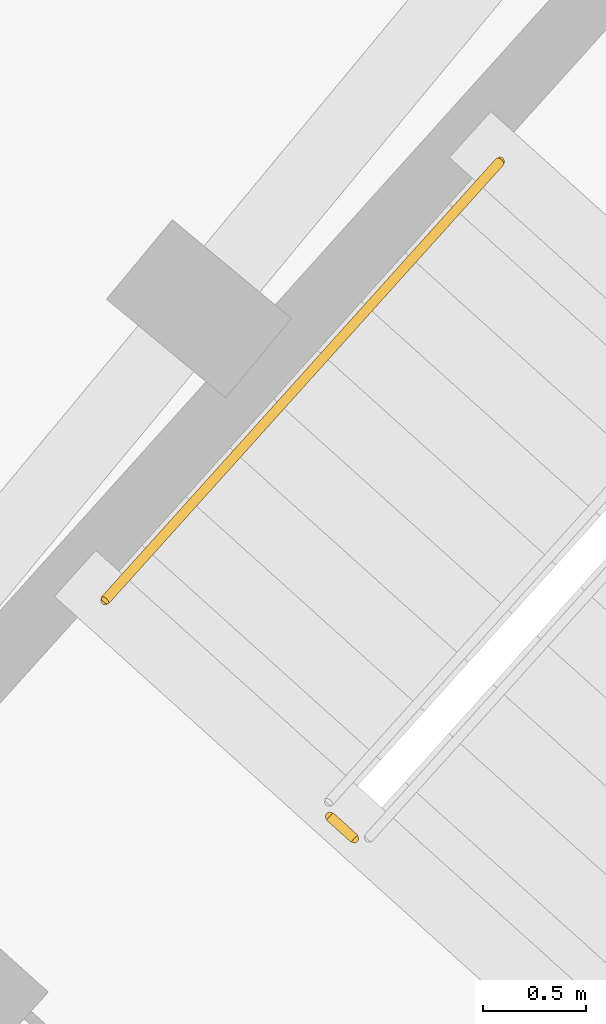
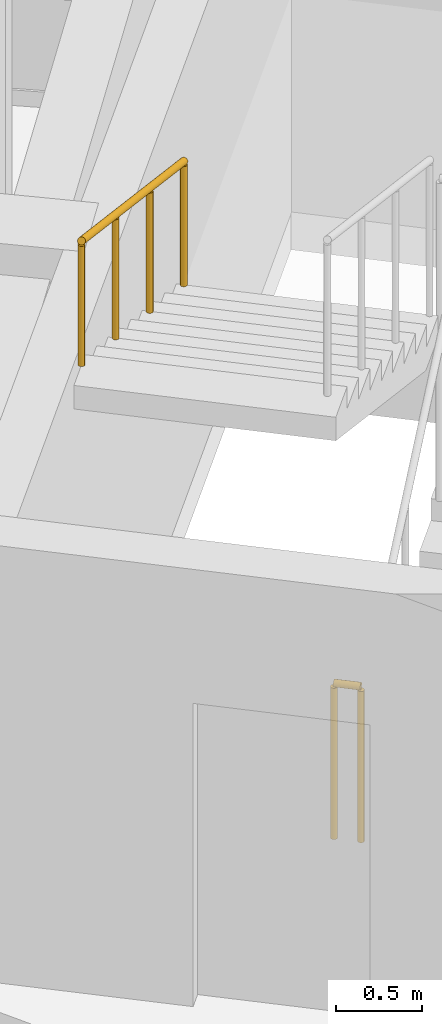
# One storey, part 48 of 50: 2 railings.
"""IFC4 building model written with IfcOpenShell, lengths in metres."""

from ifc_helpers import new_model, si_unit, direction, frame, origin, origin_2d, place, context, subcontext, project, spatial, circle, extrude, material, type_object, element, save


model = new_model("IFC4")

# Units and contexts
model_context = context("Model", 3, precision=1e-05, world=origin(), true_north=direction((0.0, 1.0)))
body_context = subcontext(model_context, "Body", "Model", "MODEL_VIEW")
ifc_project = project(units=[si_unit("LENGTHUNIT", "METRE"), si_unit("AREAUNIT", "SQUARE_METRE"), si_unit("VOLUMEUNIT", "CUBIC_METRE"), si_unit("PLANEANGLEUNIT", "RADIAN"), si_unit("MASSUNIT", "GRAM", prefix="KILO")], contexts=[model_context])

# Site, building, storey
site_placement = place(None, origin())
site = spatial("IfcSite", under=ifc_project, at=site_placement, CompositionType="ELEMENT")
building_placement = place(site_placement, origin())
building = spatial("IfcBuilding", under=site, at=building_placement, Name="Zimvara Arc Housing Community", CompositionType="ELEMENT")
storey_placement = place(building_placement, frame((0.0, 0.0, 26.699951171875)))
storey = spatial("IfcBuildingStorey", under=building, at=storey_placement, Name="L08", CompositionType="ELEMENT", Elevation=26.699951171875)

# Railings
ifc_material_1 = material(Name="Anodised Aluminium AW-6063", Category="aluminium")
railing_type_1 = type_object("IfcRailingType", Name="RLG-BAL-1120", PredefinedType="BALUSTRADE", material=ifc_material_1)
railing_1_placement = place(storey_placement, frame((80.074951171875, 83.3623046875, 0.0)))
element("IfcRailing", 1, at=railing_1_placement, inside=storey, type_object=railing_type_1, Name="L08 ST-B2 stair guard 4", PredefinedType="BALUSTRADE", context=body_context, shape_type="SweptSolid", body=[
    extrude(circle(Radius=0.02392578125, at=origin_2d()), frame((0.0, 0.0, 1.09619140625), z_axis=(-0.742763048172, 0.669554369913, 0.0), x_axis=(-0.669554369913, -0.742763048172, 0.0)), (0.0, 0.0, 1.0), 0.16015625),
    extrude(circle(Radius=0.02099609375, at=origin_2d()), origin(), (0.0, 0.0, 1.0), 1.072021484375),
    extrude(circle(Radius=0.02099609375, at=origin_2d()), frame((-0.118896484375, 0.107177734375, 0.0)), (0.0, 0.0, 1.0), 1.072021484375),
])
ifc_material_2 = material(Name="Anodised Aluminium AW-6063", Category="aluminium")
railing_type_2 = type_object("IfcRailingType", Name="RLG-HND-900", PredefinedType="HANDRAIL", material=ifc_material_2)
railing_2_placement = place(storey_placement, frame((80.78125, 86.64404296875, 1.705078125)))
element("IfcRailing", 2, at=railing_2_placement, inside=storey, type_object=railing_type_2, Name="L08 ST-B2 stair handrail 2", PredefinedType="HANDRAIL", context=body_context, shape_type="SweptSolid", body=[
    extrude(circle(Radius=0.02392578125, at=origin_2d()), frame((0.0, 0.0, 0.8759765625), z_axis=(-0.601262536038, -0.668205807809, 0.438160200347), x_axis=(0.743362010683, -0.668889319, 0.0)), (0.0, 0.0, 1.0), 3.183837890625),
    extrude(circle(Radius=0.02099609375, at=origin_2d()), origin(), (0.0, 0.0, 1.0), 0.851806640625),
    extrude(circle(Radius=0.02099609375, at=origin_2d()), frame((-0.63818359375, -0.709228515625, 0.465087890625)), (0.0, 0.0, 1.0), 0.851806640625),
    extrude(circle(Radius=0.02099609375, at=origin_2d()), frame((-1.276123046875, -1.418212890625, 0.929931640625)), (0.0, 0.0, 1.0), 0.851806640625),
    extrude(circle(Radius=0.02099609375, at=origin_2d()), frame((-1.914306640625, -2.12744140625, 1.39501953125)), (0.0, 0.0, 1.0), 0.851806640625),
])

save(model, "model.ifc")
